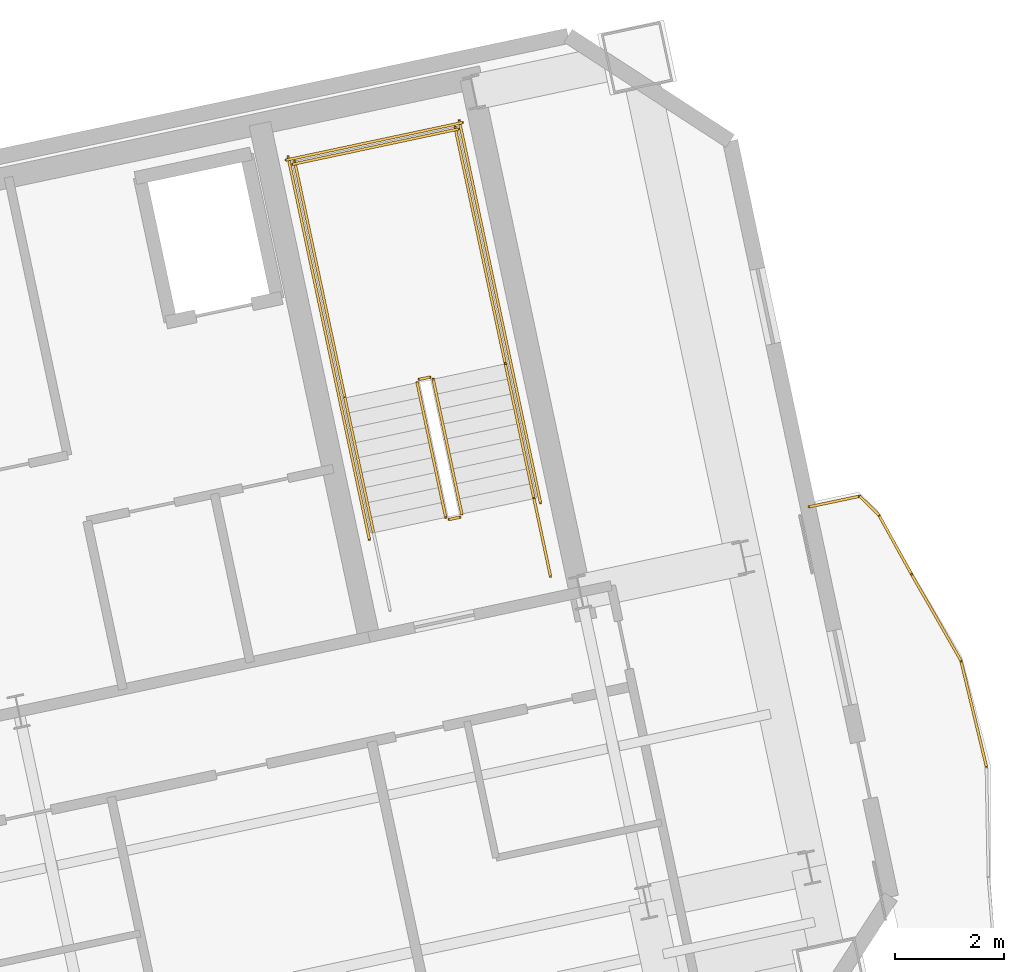
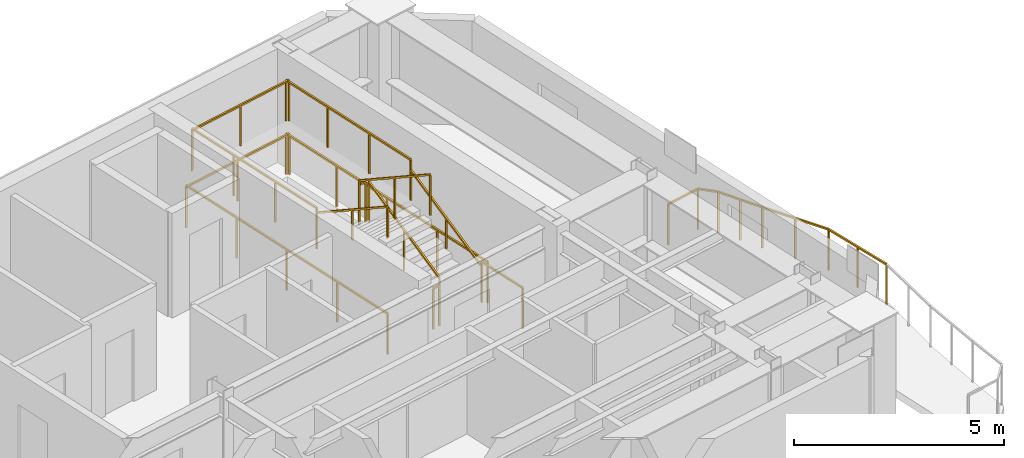
# One storey, part 16 of 16: 18 railings.
"""IFC4 building model written with IfcOpenShell, lengths in metres."""

import ifcopenshell
import ifcopenshell.guid

model = None  # the IFC model being written
_history = None  # IfcOwnerHistory: only IFC2X3 demands one
_inside = {}  # id of a spatial element -> (the spatial element, [elements in it])
_under = {}  # id of a project, library or spatial element -> (it, [spatial elements below it])
_declared = {}  # id of a project -> (the project, [libraries it declares])
_typed = {}  # id of a type object -> (the type object, [elements of that type])
_made_of = {}  # id of a material, layer set ... -> (it, [elements and type objects made of it])


def new_model(schema):
    """Start an empty IFC model of exactly this schema.

    Asked for "IFC4X3", IfcOpenShell would pick the latest addendum, in which some entities
    have other attributes; the version numbers below select the first issue.
    IFC2X3 requires an IfcOwnerHistory on every rooted entity: one is made here for all.
    """
    global model, _history
    if schema == "IFC4X3":
        model = ifcopenshell.file(schema_version=(4, 3, 0, 0))
    else:
        model = ifcopenshell.file(schema=schema)
    _inside.clear()
    _under.clear()
    _declared.clear()
    _typed.clear()
    _made_of.clear()
    _history = None
    if model.schema == "IFC2X3":
        org = make("IfcOrganization", Name="unknown")
        user = make(
            "IfcPersonAndOrganization",
            ThePerson=make("IfcPerson", FamilyName="unknown"),
            TheOrganization=org,
        )
        app = make(
            "IfcApplication",
            ApplicationDeveloper=org,
            Version="unknown",
            ApplicationFullName="unknown",
            ApplicationIdentifier="unknown",
        )
        _history = make(
            "IfcOwnerHistory",
            OwningUser=user,
            OwningApplication=app,
            ChangeAction="ADDED",
            CreationDate=0,
        )
    return model


def make(cls, **values):
    """One entity of the class cls with the attributes given. An attribute that is None is left unset."""
    return model.create_entity(
        cls, **{name: value for name, value in values.items() if value is not None}
    )


def rooted(cls, **values):
    """An entity with a GlobalId (a new one), such as an element, a storey or a relation."""
    return make(cls, GlobalId=ifcopenshell.guid.new(), OwnerHistory=_history, **values)


def si_unit(unit_type, name, prefix=None):
    """IfcSIUnit, for example si_unit("LENGTHUNIT", "METRE", prefix="MILLI")."""
    return make("IfcSIUnit", UnitType=unit_type, Prefix=prefix, Name=name)


def assignment(units):
    """IfcUnitAssignment: the units of a project."""
    return None if units is None else make("IfcUnitAssignment", Units=units)


def point(xyz):
    """IfcCartesianPoint."""
    return None if xyz is None else make("IfcCartesianPoint", Coordinates=xyz)


def direction(xyz):
    """IfcDirection."""
    return None if xyz is None else make("IfcDirection", DirectionRatios=xyz)


def frame(location, z_axis=None, x_axis=None):
    """IfcAxis2Placement3D, a coordinate frame: its origin and axes. An axis left out is left unset."""
    return make(
        "IfcAxis2Placement3D",
        Location=point(location),
        Axis=direction(z_axis),
        RefDirection=direction(x_axis),
    )


def frame_2d(location, x_axis=None):
    """IfcAxis2Placement2D, a coordinate frame in the plane: its origin and x axis."""
    return make(
        "IfcAxis2Placement2D", Location=point(location), RefDirection=direction(x_axis)
    )


def origin():
    """The frame at (0, 0, 0) with its axes left unset."""
    return frame((0.0, 0.0, 0.0))


def origin_2d():
    """The frame at (0, 0) in the plane with its x axis left unset."""
    return frame_2d((0.0, 0.0))


def place(relative_to, where):
    """IfcLocalPlacement: puts the frame where relative to a parent placement (None: the world)."""
    return make(
        "IfcLocalPlacement", PlacementRelTo=relative_to, RelativePlacement=where
    )


def context(
    kind, dimensions, precision=None, world=None, true_north=None, identifier=None
):
    """IfcGeometricRepresentationContext, for example the 3D "Model" context."""
    return make(
        "IfcGeometricRepresentationContext",
        ContextIdentifier=identifier,
        ContextType=kind,
        CoordinateSpaceDimension=dimensions,
        Precision=precision,
        WorldCoordinateSystem=world,
        TrueNorth=true_north,
    )


def subcontext(parent, identifier, kind, view, scale=None):
    """IfcGeometricRepresentationSubContext, for example "Body" below "Model"."""
    return make(
        "IfcGeometricRepresentationSubContext",
        ContextIdentifier=identifier,
        ContextType=kind,
        ParentContext=parent,
        TargetScale=scale,
        TargetView=view,
    )


def project(units=None, contexts=None):
    """IfcProject with its units and contexts."""
    return rooted(
        "IfcProject",
        Name="project",
        RepresentationContexts=contexts,
        UnitsInContext=assignment(units),
    )


def spatial(cls, under=None, at=None, **own):
    """A site, building, storey or space (cls), placed at a placement, below another one or the project."""
    s = rooted(cls, ObjectPlacement=at, **own)
    if under is not None:
        _under.setdefault(under.id(), (under, []))[1].append(s)
    return s


def profile(cls, at=None, kind="AREA", **sizes):
    """A parametric profile (cls). Its sizes go by their IFC names, for example OverallWidth=200.0."""
    return make(cls, ProfileType=kind, Position=at, **sizes)


def rectangle(**sizes):
    """IfcRectangleProfileDef."""
    return profile("IfcRectangleProfileDef", **sizes)


def extrude(swept, where, along, depth):
    """IfcExtrudedAreaSolid: the profile swept, set in the frame where, extruded along a direction by depth."""
    return make(
        "IfcExtrudedAreaSolid",
        SweptArea=swept,
        Position=where,
        ExtrudedDirection=direction(along),
        Depth=depth,
    )


def shape(context_of_items, identifier, shape_type, items):
    """IfcShapeRepresentation: the items that make up one representation, for example the "Body"."""
    return make(
        "IfcShapeRepresentation",
        ContextOfItems=context_of_items,
        RepresentationIdentifier=identifier,
        RepresentationType=shape_type,
        Items=items,
    )


def material(Name=None, Category=None):
    """IfcMaterial."""
    return make("IfcMaterial", Name=Name, Category=Category)


def made_of(thing, what):
    """Note that an element or type object is made of a material, layer set ...; save() writes the relation."""
    if what is not None:
        _made_of.setdefault(what.id(), (what, []))[1].append(thing)
    return thing


def type_object(cls, material=None, **own):
    """A type object (cls), such as IfcWallType, which elements share."""
    return made_of(rooted(cls, **own), material)


def element(
    cls,
    number,
    at=None,
    inside=None,
    cuts=None,
    type_object=None,
    material=None,
    context=None,
    identifier="Body",
    shape_type=None,
    held_by="IfcProductDefinitionShape",
    body=None,
    shapes=None,
    **own,
):
    """One element of the class cls, such as IfcWall. Its Tag is "e" and its number.

    at: its placement. inside: the storey or other place that contains it. cuts: it is an
    opening in that element (IfcRelVoidsElement). A single representation is given by context,
    identifier, shape_type and body (its items); several are given by shapes. held_by: the class
    of the entity that holds the representations. save() writes the other relations.
    """
    e = rooted(cls, Tag="e%d" % number, ObjectPlacement=at, **own)
    if body is not None:
        shapes = [shape(context, identifier, shape_type, body)]
    if shapes is not None:
        e.Representation = make(held_by, Representations=shapes)
    if inside is not None:
        _inside.setdefault(inside.id(), (inside, []))[1].append(e)
    if cuts is not None:
        rooted(
            "IfcRelVoidsElement", RelatingBuildingElement=cuts, RelatedOpeningElement=e
        )
    if type_object is not None:
        _typed.setdefault(type_object.id(), (type_object, []))[1].append(e)
    return made_of(e, material)


def aggregate(whole, parts):
    """IfcRelAggregates: a whole, such as a stair, and the parts it consists of."""
    return rooted("IfcRelAggregates", RelatingObject=whole, RelatedObjects=parts)


def save(model, path):
    """Write the relations noted so far, then the file.

    IfcRelAggregates (storeys below a building ...), IfcRelContainedInSpatialStructure (elements
    in a storey), IfcRelDefinesByType, IfcRelAssociatesMaterial and IfcRelDeclares: one each for
    every whole, place, type object, material and project.
    """
    for whole, parts in _under.values():
        aggregate(whole, parts)
    for where, things in _inside.values():
        rooted(
            "IfcRelContainedInSpatialStructure",
            RelatedElements=things,
            RelatingStructure=where,
        )
    for kind, things in _typed.values():
        rooted("IfcRelDefinesByType", RelatedObjects=things, RelatingType=kind)
    for what, things in _made_of.values():
        rooted("IfcRelAssociatesMaterial", RelatedObjects=things, RelatingMaterial=what)
    for by, libraries in _declared.values():
        rooted("IfcRelDeclares", RelatingContext=by, RelatedDefinitions=libraries)
    model.write(path)


model = new_model("IFC4")

# Units and contexts
model_context = context("Model", 3, precision=1e-05, world=origin(), true_north=direction((0.0, 1.0)))
body_context = subcontext(model_context, "Body", "Model", "MODEL_VIEW")
ifc_project = project(units=[si_unit("LENGTHUNIT", "METRE"), si_unit("AREAUNIT", "SQUARE_METRE"), si_unit("VOLUMEUNIT", "CUBIC_METRE"), si_unit("PLANEANGLEUNIT", "RADIAN"), si_unit("MASSUNIT", "GRAM", prefix="KILO")], contexts=[model_context])

# Site, building, storey
site_placement = place(None, origin())
site = spatial("IfcSite", under=ifc_project, at=site_placement, CompositionType="ELEMENT")
building_placement = place(site_placement, origin())
building = spatial("IfcBuilding", under=site, at=building_placement, Name="Haevon Station Towers", CompositionType="ELEMENT")
storey_placement = place(building_placement, frame((0.0, 0.0, 215.39990234375)))
storey = spatial("IfcBuildingStorey", under=building, at=storey_placement, Name="L59", CompositionType="ELEMENT", Elevation=215.39990234375)

# Railings
ifc_material = material(Name="Steel S355", Category="steel")
railing_type_1 = type_object("IfcRailingType", Name="GRD-EXT1200", PredefinedType="GUARDRAIL", material=ifc_material)
railing_1_placement = place(storey_placement, frame((126.723388671875, 38.61865234375, 0.0)))
element("IfcRailing", 1, at=railing_1_placement, inside=storey, type_object=railing_type_1, Name="L59 Perimeter Guardrail 6", PredefinedType="GUARDRAIL", context=body_context, shape_type="SweptSolid", body=[
    extrude(rectangle(XDim=0.048095703125, YDim=0.048095703125, at=origin_2d()), frame((0.0, 0.0, 1.17578125), z_axis=(-0.233507253409, 0.972355059947, 0.0), x_axis=(-0.972355059947, -0.233507253409, 0.0)), (0.0, 0.0, 1.0), 1.993896484375),
    extrude(rectangle(XDim=0.0419921875, YDim=0.0419921875, at=origin_2d()), origin(), (0.0, 0.0, 1.0), 1.15185546875),
    extrude(rectangle(XDim=0.0419921875, YDim=0.0419921875, at=origin_2d()), frame((-0.23291015625, 0.96923828125, 0.0)), (0.0, 0.0, 1.0), 1.15185546875),
    extrude(rectangle(XDim=0.0419921875, YDim=0.0419921875, at=origin_2d()), frame((-0.465576171875, 1.938720703125, 0.0)), (0.0, 0.0, 1.0), 1.15185546875),
])
railing_2_placement = place(storey_placement, frame((126.2578125, 40.557373046875, 0.0)))
element("IfcRailing", 2, at=railing_2_placement, inside=storey, type_object=railing_type_1, Name="L59 Perimeter Guardrail 7", PredefinedType="GUARDRAIL", context=body_context, shape_type="SweptSolid", body=[
    extrude(rectangle(XDim=0.048095703125, YDim=0.048095703125, at=origin_2d()), frame((0.0, 0.0, 1.17578125), z_axis=(-0.496440147692, 0.868070953183, 0.0), x_axis=(-0.868070953183, -0.496440147692, 0.0)), (0.0, 0.0, 1.0), 1.832763671875),
    extrude(rectangle(XDim=0.0419921875, YDim=0.0419921875, at=origin_2d()), origin(), (0.0, 0.0, 1.0), 1.15185546875),
    extrude(rectangle(XDim=0.0419921875, YDim=0.0419921875, at=origin_2d()), frame((-0.455078125, 0.79541015625, 0.0)), (0.0, 0.0, 1.0), 1.15185546875),
    extrude(rectangle(XDim=0.0419921875, YDim=0.0419921875, at=origin_2d()), frame((-0.909912109375, 1.591064453125, 0.0)), (0.0, 0.0, 1.0), 1.15185546875),
])
railing_3_placement = place(storey_placement, frame((125.347900390625, 42.1484375, 0.0)))
element("IfcRailing", 3, at=railing_3_placement, inside=storey, type_object=railing_type_1, Name="L59 Perimeter Guardrail 8", PredefinedType="GUARDRAIL", context=body_context, shape_type="SweptSolid", body=[
    extrude(rectangle(XDim=0.048095703125, YDim=0.048095703125, at=origin_2d()), frame((0.0, 0.0, 1.17578125), z_axis=(-0.482248336261, 0.876034555353, 0.0), x_axis=(-0.876034555353, -0.482248336261, 0.0)), (0.0, 0.0, 1.0), 1.22265625),
    extrude(rectangle(XDim=0.0419921875, YDim=0.0419921875, at=origin_2d()), origin(), (0.0, 0.0, 1.0), 1.15185546875),
    extrude(rectangle(XDim=0.0419921875, YDim=0.0419921875, at=origin_2d()), frame((-0.294921875, 0.53564453125, 0.0)), (0.0, 0.0, 1.0), 1.15185546875),
    extrude(rectangle(XDim=0.0419921875, YDim=0.0419921875, at=origin_2d()), frame((-0.589599609375, 1.071044921875, 0.0)), (0.0, 0.0, 1.0), 1.15185546875),
])
railing_4_placement = place(storey_placement, frame((124.75830078125, 43.219482421875, 0.0)))
element("IfcRailing", 4, at=railing_4_placement, inside=storey, type_object=railing_type_1, Name="L59 Perimeter Guardrail 9", PredefinedType="GUARDRAIL", context=body_context, shape_type="SweptSolid", body=[
    extrude(rectangle(XDim=0.048095703125, YDim=0.048095703125, at=origin_2d()), frame((0.0, 0.0, 1.17578125), z_axis=(-0.712780133863, 0.701387539646, 0.0), x_axis=(-0.701387539646, -0.712780133863, 0.0)), (0.0, 0.0, 1.0), 0.492919921875),
    extrude(rectangle(XDim=0.0419921875, YDim=0.0419921875, at=origin_2d()), origin(), (0.0, 0.0, 1.0), 1.15185546875),
    extrude(rectangle(XDim=0.0419921875, YDim=0.0419921875, at=origin_2d()), frame((-0.351318359375, 0.345703125, 0.0)), (0.0, 0.0, 1.0), 1.15185546875),
])
railing_5_placement = place(storey_placement, frame((124.406982421875, 43.565185546875, 0.0)))
element("IfcRailing", 5, at=railing_5_placement, inside=storey, type_object=railing_type_1, Name="L59 Perimeter Guardrail 10", PredefinedType="GUARDRAIL", context=body_context, shape_type="SweptSolid", body=[
    extrude(rectangle(XDim=0.048095703125, YDim=0.048095703125, at=origin_2d()), frame((0.0, 0.0, 1.17578125), z_axis=(-0.978612883571, -0.205710534754, 0.0), x_axis=(0.205710534754, -0.978612883571, 0.0)), (0.0, 0.0, 1.0), 0.943603515625),
    extrude(rectangle(XDim=0.0419921875, YDim=0.0419921875, at=origin_2d()), origin(), (0.0, 0.0, 1.0), 1.15185546875),
    extrude(rectangle(XDim=0.0419921875, YDim=0.0419921875, at=origin_2d()), frame((-0.92333984375, -0.194091796875, 0.0)), (0.0, 0.0, 1.0), 1.15185546875),
])
railing_type_2 = type_object("IfcRailingType", Name="GRD-STR1200", PredefinedType="GUARDRAIL", material=ifc_material)
railing_6_placement = place(storey_placement, frame((117.128662109375, 43.23974609375, 0.1650390625)))
element("IfcRailing", 6, at=railing_6_placement, inside=storey, type_object=railing_type_2, Name="L59 ST4 Stair Guard 1", PredefinedType="GUARDRAIL", context=body_context, shape_type="SweptSolid", body=[
    extrude(rectangle(XDim=0.048095703125, YDim=0.048095703125, at=origin_2d()), frame((0.0, 0.0, 1.17578125), z_axis=(-0.179121265225, 0.842687928106, 0.507732831485), x_axis=(-0.978147030254, -0.207914374695, 0.0)), (0.0, 0.0, 1.0), 2.925048828125),
    extrude(rectangle(XDim=0.0419921875, YDim=0.0419921875, at=origin_2d()), origin(), (0.0, 0.0, 1.0), 1.15185546875),
    extrude(rectangle(XDim=0.0419921875, YDim=0.0419921875, at=origin_2d()), frame((-0.261962890625, 1.232421875, 0.74267578125)), (0.0, 0.0, 1.0), 1.15185546875),
    extrude(rectangle(XDim=0.0419921875, YDim=0.0419921875, at=origin_2d()), frame((-0.52392578125, 2.46484375, 1.485107421875)), (0.0, 0.0, 1.0), 1.15185546875),
])
railing_7_placement = place(storey_placement, frame((116.54541015625, 45.7431640625, 1.650146484375)))
element("IfcRailing", 7, at=railing_7_placement, inside=storey, type_object=railing_type_2, Name="L59 ST4 Stair Guard 2", PredefinedType="GUARDRAIL", context=body_context, shape_type="SweptSolid", body=[
    extrude(rectangle(XDim=0.048095703125, YDim=0.048095703125, at=origin_2d()), frame((0.0, 0.0, 1.17578125), z_axis=(-0.97826412705, -0.207362720198, 0.0), x_axis=(0.207362720198, -0.97826412705, 0.0)), (0.0, 0.0, 1.0), 0.2001953125),
    extrude(rectangle(XDim=0.0419921875, YDim=0.0419921875, at=origin_2d()), origin(), (0.0, 0.0, 1.0), 1.15185546875),
    extrude(rectangle(XDim=0.0419921875, YDim=0.0419921875, at=origin_2d()), frame((-0.19580078125, -0.04150390625, 0.0)), (0.0, 0.0, 1.0), 1.15185546875),
])
railing_8_placement = place(storey_placement, frame((117.925048828125, 45.9853515625, 1.650146484375)))
element("IfcRailing", 8, at=railing_8_placement, inside=storey, type_object=railing_type_2, Name="L59 ST4 Stair Guard 3", PredefinedType="GUARDRAIL", context=body_context, shape_type="SweptSolid", body=[
    extrude(rectangle(XDim=0.048095703125, YDim=0.048095703125, at=origin_2d()), frame((0.0, 0.0, 1.17578125), z_axis=(-0.207876551949, 0.978155069071, 0.0), x_axis=(-0.978155069071, -0.207876551949, 0.0)), (0.0, 0.0, 1.0), 4.429931640625),
    extrude(rectangle(XDim=0.0419921875, YDim=0.0419921875, at=origin_2d()), origin(), (0.0, 0.0, 1.0), 1.15185546875),
    extrude(rectangle(XDim=0.0419921875, YDim=0.0419921875, at=origin_2d()), frame((-0.306884765625, 1.4443359375, 0.0)), (0.0, 0.0, 1.0), 1.15185546875),
    extrude(rectangle(XDim=0.0419921875, YDim=0.0419921875, at=origin_2d()), frame((-0.614013671875, 2.888916015625, 0.0)), (0.0, 0.0, 1.0), 1.15185546875),
    extrude(rectangle(XDim=0.0419921875, YDim=0.0419921875, at=origin_2d()), frame((-0.9208984375, 4.333251953125, 0.0)), (0.0, 0.0, 1.0), 1.15185546875),
])
railing_9_placement = place(storey_placement, frame((114.99072265625, 45.361572265625, 1.650146484375)))
element("IfcRailing", 9, at=railing_9_placement, inside=storey, type_object=railing_type_2, Name="L59 ST4 Stair Guard 4", PredefinedType="GUARDRAIL", context=body_context, shape_type="SweptSolid", body=[
    extrude(rectangle(XDim=0.048095703125, YDim=0.048095703125, at=origin_2d()), frame((0.0, 0.0, 1.17578125), z_axis=(-0.207929280007, 0.978143861871, 0.0), x_axis=(-0.978143861871, -0.207929280007, 0.0)), (0.0, 0.0, 1.0), 4.43017578125),
    extrude(rectangle(XDim=0.0419921875, YDim=0.0419921875, at=origin_2d()), origin(), (0.0, 0.0, 1.0), 1.15185546875),
    extrude(rectangle(XDim=0.0419921875, YDim=0.0419921875, at=origin_2d()), frame((-0.30712890625, 1.4443359375, 0.0)), (0.0, 0.0, 1.0), 1.15185546875),
    extrude(rectangle(XDim=0.0419921875, YDim=0.0419921875, at=origin_2d()), frame((-0.614013671875, 2.888916015625, 0.0)), (0.0, 0.0, 1.0), 1.15185546875),
    extrude(rectangle(XDim=0.0419921875, YDim=0.0419921875, at=origin_2d()), frame((-0.921142578125, 4.333251953125, 0.0)), (0.0, 0.0, 1.0), 1.15185546875),
])
railing_10_placement = place(storey_placement, frame((117.0634765625, 50.280029296875, 1.650146484375)))
element("IfcRailing", 10, at=railing_10_placement, inside=storey, type_object=railing_type_2, Name="L59 ST4 Stair Guard 5", PredefinedType="GUARDRAIL", context=body_context, shape_type="SweptSolid", body=[
    extrude(rectangle(XDim=0.048095703125, YDim=0.048095703125, at=origin_2d()), frame((0.0, 0.0, 1.17578125), z_axis=(-0.978146839882, -0.207915270313, 0.0), x_axis=(0.207915270313, -0.978146839882, 0.0)), (0.0, 0.0, 1.0), 3.099853515625),
    extrude(rectangle(XDim=0.0419921875, YDim=0.0419921875, at=origin_2d()), origin(), (0.0, 0.0, 1.0), 1.15185546875),
    extrude(rectangle(XDim=0.0419921875, YDim=0.0419921875, at=origin_2d()), frame((-1.51611328125, -0.322265625, 0.0)), (0.0, 0.0, 1.0), 1.15185546875),
    extrude(rectangle(XDim=0.0419921875, YDim=0.0419921875, at=origin_2d()), frame((-3.0322265625, -0.64453125, 0.0)), (0.0, 0.0, 1.0), 1.15185546875),
])
railing_11_placement = place(storey_placement, frame((116.311279296875, 45.642333984375, 1.815185546875)))
element("IfcRailing", 11, at=railing_11_placement, inside=storey, type_object=railing_type_2, Name="L59 ST4 Stair Guard 6", PredefinedType="GUARDRAIL", context=body_context, shape_type="SweptSolid", body=[
    extrude(rectangle(XDim=0.048095703125, YDim=0.048095703125, at=origin_2d()), frame((0.0, 0.0, 1.17578125), z_axis=(0.179116256339, -0.842747828638, 0.507635168246), x_axis=(0.978151217824, 0.207894673017, 0.0)), (0.0, 0.0, 1.0), 2.925048828125),
    extrude(rectangle(XDim=0.0419921875, YDim=0.0419921875, at=origin_2d()), origin(), (0.0, 0.0, 1.0), 1.15185546875),
    extrude(rectangle(XDim=0.0419921875, YDim=0.0419921875, at=origin_2d()), frame((0.261962890625, -1.232421875, 0.742431640625)), (0.0, 0.0, 1.0), 1.15185546875),
    extrude(rectangle(XDim=0.0419921875, YDim=0.0419921875, at=origin_2d()), frame((0.52392578125, -2.465087890625, 1.48486328125)), (0.0, 0.0, 1.0), 1.15185546875),
])
railing_12_placement = place(storey_placement, frame((117.090087890625, 43.180419921875, 0.0)))
element("IfcRailing", 12, at=railing_12_placement, inside=storey, type_object=railing_type_2, Name="L59 ST4 Stair Guard 7", PredefinedType="GUARDRAIL", context=body_context, shape_type="SweptSolid", body=[
    extrude(rectangle(XDim=0.048095703125, YDim=0.048095703125, at=origin_2d()), frame((0.0, 0.0, 1.17578125), z_axis=(-0.978211583308, -0.207610448392, 0.0), x_axis=(0.207610448392, -0.978211583308, 0.0)), (0.0, 0.0, 1.0), 0.199951171875),
    extrude(rectangle(XDim=0.0419921875, YDim=0.0419921875, at=origin_2d()), origin(), (0.0, 0.0, 1.0), 1.15185546875),
    extrude(rectangle(XDim=0.0419921875, YDim=0.0419921875, at=origin_2d()), frame((-0.195556640625, -0.04150390625, 0.0)), (0.0, 0.0, 1.0), 1.15185546875),
])
railing_13_placement = place(storey_placement, frame((118.75048828125, 42.10205078125, 0.0)))
element("IfcRailing", 13, at=railing_13_placement, inside=storey, type_object=railing_type_2, Name="L59 ST4 Stair Guard 8", PredefinedType="GUARDRAIL", context=body_context, shape_type="SweptSolid", body=[
    extrude(rectangle(XDim=0.048095703125, YDim=0.048095703125, at=origin_2d()), frame((0.0, 0.0, 1.17578125), z_axis=(-0.207919161079, 0.978146012851, 0.0), x_axis=(-0.978146012851, -0.207919161079, 0.0)), (0.0, 0.0, 1.0), 1.4501953125),
    extrude(rectangle(XDim=0.0419921875, YDim=0.0419921875, at=origin_2d()), origin(), (0.0, 0.0, 1.0), 1.15185546875),
    extrude(rectangle(XDim=0.0419921875, YDim=0.0419921875, at=origin_2d()), frame((-0.301513671875, 1.41845703125, 0.0)), (0.0, 0.0, 1.0), 1.15185546875),
])
railing_14_placement = place(storey_placement, frame((118.567626953125, 43.443359375, 0.0)))
element("IfcRailing", 14, at=railing_14_placement, inside=storey, type_object=railing_type_2, Name="L59 ST4 Stair Guard 10", PredefinedType="GUARDRAIL", context=body_context, shape_type="SweptSolid", body=[
    extrude(rectangle(XDim=0.048095703125, YDim=0.048095703125, at=origin_2d()), frame((0.0, 0.0, 1.17578125), z_axis=(-0.207908168386, 0.978148349443, 0.0), x_axis=(-0.978148349443, -0.207908168386, 0.0)), (0.0, 0.0, 1.0), 7.150146484375),
    extrude(rectangle(XDim=0.0419921875, YDim=0.0419921875, at=origin_2d()), origin(), (0.0, 0.0, 1.0), 1.15185546875),
    extrude(rectangle(XDim=0.0419921875, YDim=0.0419921875, at=origin_2d()), frame((-0.37158203125, 1.74853515625, 0.0)), (0.0, 0.0, 1.0), 1.15185546875),
    extrude(rectangle(XDim=0.0419921875, YDim=0.0419921875, at=origin_2d()), frame((-0.7431640625, 3.4970703125, 0.0)), (0.0, 0.0, 1.0), 1.15185546875),
    extrude(rectangle(XDim=0.0419921875, YDim=0.0419921875, at=origin_2d()), frame((-1.114990234375, 5.245361328125, 0.0)), (0.0, 0.0, 1.0), 1.15185546875),
    extrude(rectangle(XDim=0.0419921875, YDim=0.0419921875, at=origin_2d()), frame((-1.486572265625, 6.993896484375, 0.0)), (0.0, 0.0, 1.0), 1.15185546875),
])
railing_15_placement = place(storey_placement, frame((115.4375, 42.778076171875, 0.0)))
element("IfcRailing", 15, at=railing_15_placement, inside=storey, type_object=railing_type_2, Name="L59 ST4 Stair Guard 11", PredefinedType="GUARDRAIL", context=body_context, shape_type="SweptSolid", body=[
    extrude(rectangle(XDim=0.048095703125, YDim=0.048095703125, at=origin_2d()), frame((0.0, 0.0, 1.17578125), z_axis=(-0.207882442208, 0.978153817261, 0.0), x_axis=(-0.978153817261, -0.207882442208, 0.0)), (0.0, 0.0, 1.0), 7.14990234375),
    extrude(rectangle(XDim=0.0419921875, YDim=0.0419921875, at=origin_2d()), origin(), (0.0, 0.0, 1.0), 1.15185546875),
    extrude(rectangle(XDim=0.0419921875, YDim=0.0419921875, at=origin_2d()), frame((-0.37158203125, 1.74853515625, 0.0)), (0.0, 0.0, 1.0), 1.15185546875),
    extrude(rectangle(XDim=0.0419921875, YDim=0.0419921875, at=origin_2d()), frame((-0.7431640625, 3.496826171875, 0.0)), (0.0, 0.0, 1.0), 1.15185546875),
    extrude(rectangle(XDim=0.0419921875, YDim=0.0419921875, at=origin_2d()), frame((-1.11474609375, 5.2451171875, 0.0)), (0.0, 0.0, 1.0), 1.15185546875),
    extrude(rectangle(XDim=0.0419921875, YDim=0.0419921875, at=origin_2d()), frame((-1.486328125, 6.99365234375, 0.0)), (0.0, 0.0, 1.0), 1.15185546875),
])
railing_16_placement = place(storey_placement, frame((117.140380859375, 50.398681640625, 0.0)))
element("IfcRailing", 16, at=railing_16_placement, inside=storey, type_object=railing_type_2, Name="L59 ST4 Stair Guard 12", PredefinedType="GUARDRAIL", context=body_context, shape_type="SweptSolid", body=[
    extrude(rectangle(XDim=0.048095703125, YDim=0.048095703125, at=origin_2d()), frame((0.0, 0.0, 1.17578125), z_axis=(-0.978135717418, -0.207967589567, 0.0), x_axis=(0.207967589567, -0.978135717418, 0.0)), (0.0, 0.0, 1.0), 3.300048828125),
    extrude(rectangle(XDim=0.0419921875, YDim=0.0419921875, at=origin_2d()), origin(), (0.0, 0.0, 1.0), 1.15185546875),
    extrude(rectangle(XDim=0.0419921875, YDim=0.0419921875, at=origin_2d()), frame((-1.61376953125, -0.34326171875, 0.0)), (0.0, 0.0, 1.0), 1.15185546875),
    extrude(rectangle(XDim=0.0419921875, YDim=0.0419921875, at=origin_2d()), frame((-3.227783203125, -0.686279296875, 0.0)), (0.0, 0.0, 1.0), 1.15185546875),
])
railing_type_3 = type_object("IfcRailingType", Name="HND-STR900", PredefinedType="HANDRAIL", material=ifc_material)
railing_17_placement = place(storey_placement, frame((118.448974609375, 43.5205078125, 0.1650390625)))
element("IfcRailing", 17, at=railing_17_placement, inside=storey, type_object=railing_type_3, Name="L59 ST4 Stair Handrail 1", PredefinedType="HANDRAIL", context=body_context, shape_type="SweptSolid", body=[
    extrude(rectangle(XDim=0.048095703125, YDim=0.048095703125, at=origin_2d()), frame((0.0, 0.0, 0.8759765625), z_axis=(-0.179121265225, 0.842687928106, 0.507732831485), x_axis=(-0.978147030254, -0.207914374695, 0.0)), (0.0, 0.0, 1.0), 2.925048828125),
    extrude(rectangle(XDim=0.0419921875, YDim=0.0419921875, at=origin_2d()), origin(), (0.0, 0.0, 1.0), 0.851806640625),
    extrude(rectangle(XDim=0.0419921875, YDim=0.0419921875, at=origin_2d()), frame((-0.261962890625, 1.232421875, 0.74267578125)), (0.0, 0.0, 1.0), 0.851806640625),
    extrude(rectangle(XDim=0.0419921875, YDim=0.0419921875, at=origin_2d()), frame((-0.52392578125, 2.46484375, 1.485107421875)), (0.0, 0.0, 1.0), 0.851806640625),
])
railing_18_placement = place(storey_placement, frame((114.99072265625, 45.361572265625, 1.815185546875)))
element("IfcRailing", 18, at=railing_18_placement, inside=storey, type_object=railing_type_3, Name="L59 ST4 Stair Handrail 2", PredefinedType="HANDRAIL", context=body_context, shape_type="SweptSolid", body=[
    extrude(rectangle(XDim=0.048095703125, YDim=0.048095703125, at=origin_2d()), frame((0.0, 0.0, 0.8759765625), z_axis=(0.179128856099, -0.842723639875, 0.507670877349), x_axis=(0.978147030254, 0.207914374695, 0.0)), (0.0, 0.0, 1.0), 2.9248046875),
    extrude(rectangle(XDim=0.0419921875, YDim=0.0419921875, at=origin_2d()), origin(), (0.0, 0.0, 1.0), 0.851806640625),
    extrude(rectangle(XDim=0.0419921875, YDim=0.0419921875, at=origin_2d()), frame((0.261962890625, -1.232421875, 0.742431640625)), (0.0, 0.0, 1.0), 0.851806640625),
    extrude(rectangle(XDim=0.0419921875, YDim=0.0419921875, at=origin_2d()), frame((0.52392578125, -2.46484375, 1.48486328125)), (0.0, 0.0, 1.0), 0.851806640625),
])

save(model, "model.ifc")
